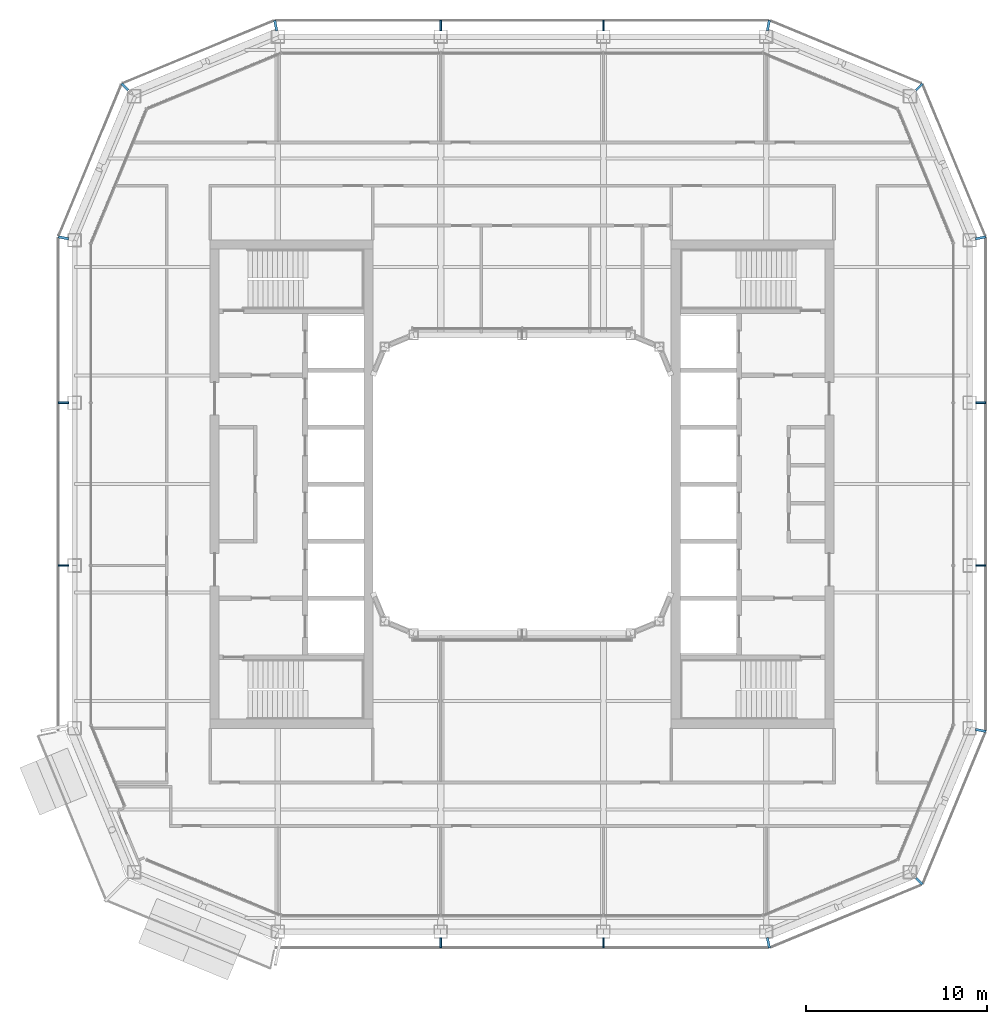
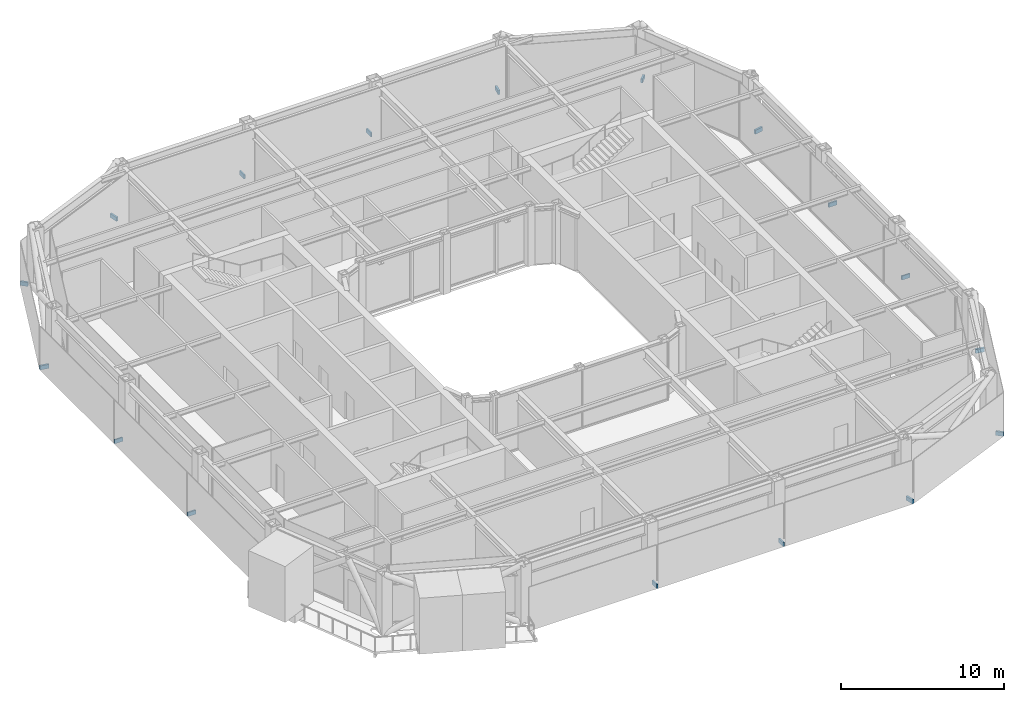
# One storey, part 15 of 20: 17 discrete accessories.
"""IFC4 building model written with IfcOpenShell, lengths in metres."""

import ifcopenshell
import ifcopenshell.guid

model = None  # the IFC model being written
_history = None  # IfcOwnerHistory: only IFC2X3 demands one
_inside = {}  # id of a spatial element -> (the spatial element, [elements in it])
_under = {}  # id of a project, library or spatial element -> (it, [spatial elements below it])
_declared = {}  # id of a project -> (the project, [libraries it declares])
_typed = {}  # id of a type object -> (the type object, [elements of that type])
_made_of = {}  # id of a material, layer set ... -> (it, [elements and type objects made of it])


def new_model(schema):
    """Start an empty IFC model of exactly this schema.

    Asked for "IFC4X3", IfcOpenShell would pick the latest addendum, in which some entities
    have other attributes; the version numbers below select the first issue.
    IFC2X3 requires an IfcOwnerHistory on every rooted entity: one is made here for all.
    """
    global model, _history
    if schema == "IFC4X3":
        model = ifcopenshell.file(schema_version=(4, 3, 0, 0))
    else:
        model = ifcopenshell.file(schema=schema)
    _inside.clear()
    _under.clear()
    _declared.clear()
    _typed.clear()
    _made_of.clear()
    _history = None
    if model.schema == "IFC2X3":
        org = make("IfcOrganization", Name="unknown")
        user = make(
            "IfcPersonAndOrganization",
            ThePerson=make("IfcPerson", FamilyName="unknown"),
            TheOrganization=org,
        )
        app = make(
            "IfcApplication",
            ApplicationDeveloper=org,
            Version="unknown",
            ApplicationFullName="unknown",
            ApplicationIdentifier="unknown",
        )
        _history = make(
            "IfcOwnerHistory",
            OwningUser=user,
            OwningApplication=app,
            ChangeAction="ADDED",
            CreationDate=0,
        )
    return model


def make(cls, **values):
    """One entity of the class cls with the attributes given. An attribute that is None is left unset."""
    return model.create_entity(
        cls, **{name: value for name, value in values.items() if value is not None}
    )


def rooted(cls, **values):
    """An entity with a GlobalId (a new one), such as an element, a storey or a relation."""
    return make(cls, GlobalId=ifcopenshell.guid.new(), OwnerHistory=_history, **values)


def si_unit(unit_type, name, prefix=None):
    """IfcSIUnit, for example si_unit("LENGTHUNIT", "METRE", prefix="MILLI")."""
    return make("IfcSIUnit", UnitType=unit_type, Prefix=prefix, Name=name)


def assignment(units):
    """IfcUnitAssignment: the units of a project."""
    return None if units is None else make("IfcUnitAssignment", Units=units)


def point(xyz):
    """IfcCartesianPoint."""
    return None if xyz is None else make("IfcCartesianPoint", Coordinates=xyz)


def direction(xyz):
    """IfcDirection."""
    return None if xyz is None else make("IfcDirection", DirectionRatios=xyz)


def frame(location, z_axis=None, x_axis=None):
    """IfcAxis2Placement3D, a coordinate frame: its origin and axes. An axis left out is left unset."""
    return make(
        "IfcAxis2Placement3D",
        Location=point(location),
        Axis=direction(z_axis),
        RefDirection=direction(x_axis),
    )


def frame_2d(location, x_axis=None):
    """IfcAxis2Placement2D, a coordinate frame in the plane: its origin and x axis."""
    return make(
        "IfcAxis2Placement2D", Location=point(location), RefDirection=direction(x_axis)
    )


def origin():
    """The frame at (0, 0, 0) with its axes left unset."""
    return frame((0.0, 0.0, 0.0))


def origin_2d():
    """The frame at (0, 0) in the plane with its x axis left unset."""
    return frame_2d((0.0, 0.0))


def place(relative_to, where):
    """IfcLocalPlacement: puts the frame where relative to a parent placement (None: the world)."""
    return make(
        "IfcLocalPlacement", PlacementRelTo=relative_to, RelativePlacement=where
    )


def context(
    kind, dimensions, precision=None, world=None, true_north=None, identifier=None
):
    """IfcGeometricRepresentationContext, for example the 3D "Model" context."""
    return make(
        "IfcGeometricRepresentationContext",
        ContextIdentifier=identifier,
        ContextType=kind,
        CoordinateSpaceDimension=dimensions,
        Precision=precision,
        WorldCoordinateSystem=world,
        TrueNorth=true_north,
    )


def subcontext(parent, identifier, kind, view, scale=None):
    """IfcGeometricRepresentationSubContext, for example "Body" below "Model"."""
    return make(
        "IfcGeometricRepresentationSubContext",
        ContextIdentifier=identifier,
        ContextType=kind,
        ParentContext=parent,
        TargetScale=scale,
        TargetView=view,
    )


def project(units=None, contexts=None):
    """IfcProject with its units and contexts."""
    return rooted(
        "IfcProject",
        Name="project",
        RepresentationContexts=contexts,
        UnitsInContext=assignment(units),
    )


def spatial(cls, under=None, at=None, **own):
    """A site, building, storey or space (cls), placed at a placement, below another one or the project."""
    s = rooted(cls, ObjectPlacement=at, **own)
    if under is not None:
        _under.setdefault(under.id(), (under, []))[1].append(s)
    return s


def profile(cls, at=None, kind="AREA", **sizes):
    """A parametric profile (cls). Its sizes go by their IFC names, for example OverallWidth=200.0."""
    return make(cls, ProfileType=kind, Position=at, **sizes)


def rectangle(**sizes):
    """IfcRectangleProfileDef."""
    return profile("IfcRectangleProfileDef", **sizes)


def extrude(swept, where, along, depth):
    """IfcExtrudedAreaSolid: the profile swept, set in the frame where, extruded along a direction by depth."""
    return make(
        "IfcExtrudedAreaSolid",
        SweptArea=swept,
        Position=where,
        ExtrudedDirection=direction(along),
        Depth=depth,
    )


def shape(context_of_items, identifier, shape_type, items):
    """IfcShapeRepresentation: the items that make up one representation, for example the "Body"."""
    return make(
        "IfcShapeRepresentation",
        ContextOfItems=context_of_items,
        RepresentationIdentifier=identifier,
        RepresentationType=shape_type,
        Items=items,
    )


def material(Name=None, Category=None):
    """IfcMaterial."""
    return make("IfcMaterial", Name=Name, Category=Category)


def made_of(thing, what):
    """Note that an element or type object is made of a material, layer set ...; save() writes the relation."""
    if what is not None:
        _made_of.setdefault(what.id(), (what, []))[1].append(thing)
    return thing


def type_object(cls, material=None, **own):
    """A type object (cls), such as IfcWallType, which elements share."""
    return made_of(rooted(cls, **own), material)


def element(
    cls,
    number,
    at=None,
    inside=None,
    cuts=None,
    type_object=None,
    material=None,
    context=None,
    identifier="Body",
    shape_type=None,
    held_by="IfcProductDefinitionShape",
    body=None,
    shapes=None,
    **own,
):
    """One element of the class cls, such as IfcWall. Its Tag is "e" and its number.

    at: its placement. inside: the storey or other place that contains it. cuts: it is an
    opening in that element (IfcRelVoidsElement). A single representation is given by context,
    identifier, shape_type and body (its items); several are given by shapes. held_by: the class
    of the entity that holds the representations. save() writes the other relations.
    """
    e = rooted(cls, Tag="e%d" % number, ObjectPlacement=at, **own)
    if body is not None:
        shapes = [shape(context, identifier, shape_type, body)]
    if shapes is not None:
        e.Representation = make(held_by, Representations=shapes)
    if inside is not None:
        _inside.setdefault(inside.id(), (inside, []))[1].append(e)
    if cuts is not None:
        rooted(
            "IfcRelVoidsElement", RelatingBuildingElement=cuts, RelatedOpeningElement=e
        )
    if type_object is not None:
        _typed.setdefault(type_object.id(), (type_object, []))[1].append(e)
    return made_of(e, material)


def aggregate(whole, parts):
    """IfcRelAggregates: a whole, such as a stair, and the parts it consists of."""
    return rooted("IfcRelAggregates", RelatingObject=whole, RelatedObjects=parts)


def save(model, path):
    """Write the relations noted so far, then the file.

    IfcRelAggregates (storeys below a building ...), IfcRelContainedInSpatialStructure (elements
    in a storey), IfcRelDefinesByType, IfcRelAssociatesMaterial and IfcRelDeclares: one each for
    every whole, place, type object, material and project.
    """
    for whole, parts in _under.values():
        aggregate(whole, parts)
    for where, things in _inside.values():
        rooted(
            "IfcRelContainedInSpatialStructure",
            RelatedElements=things,
            RelatingStructure=where,
        )
    for kind, things in _typed.values():
        rooted("IfcRelDefinesByType", RelatedObjects=things, RelatingType=kind)
    for what, things in _made_of.values():
        rooted("IfcRelAssociatesMaterial", RelatedObjects=things, RelatingMaterial=what)
    for by, libraries in _declared.values():
        rooted("IfcRelDeclares", RelatingContext=by, RelatedDefinitions=libraries)
    model.write(path)


model = new_model("IFC4")

# Units and contexts
model_context = context("Model", 3, precision=1e-05, world=origin(), true_north=direction((0.0, 1.0)))
body_context = subcontext(model_context, "Body", "Model", "MODEL_VIEW")
ifc_project = project(units=[si_unit("LENGTHUNIT", "METRE"), si_unit("AREAUNIT", "SQUARE_METRE"), si_unit("VOLUMEUNIT", "CUBIC_METRE"), si_unit("PLANEANGLEUNIT", "RADIAN"), si_unit("MASSUNIT", "GRAM", prefix="KILO")], contexts=[model_context])

# Site, building, storey
site_placement = place(None, origin())
site = spatial("IfcSite", under=ifc_project, at=site_placement, CompositionType="ELEMENT")
building_placement = place(site_placement, origin())
building = spatial("IfcBuilding", under=site, at=building_placement, Name="Siwar Civic Tower", CompositionType="ELEMENT")
storey_placement = place(building_placement, frame((0.0, 0.0, 316.699951171875)))
storey = spatial("IfcBuildingStorey", under=building, at=storey_placement, Name="L68", CompositionType="ELEMENT", Elevation=316.699951171875)

# Discrete accessories
ifc_material = material(Name="Stainless steel 316", Category="steel")
discrete_accessory_type = type_object("IfcDiscreteAccessoryType", Name="ENV-BRACKET", PredefinedType="BRACKET", material=ifc_material)
for number, where, z_axis, x_axis, name in (
    (1, (25.364990234375, -4.5, -0.14990234375), (0.0, 0.0, 1.0), (1.0, 0.0, 0.0), "Bracket outer skin joint E-01"),
    (2, (25.364990234375, 4.5, -0.14990234375), (0.0, 0.0, 1.0), (1.0, 0.0, 0.0), "Bracket outer skin joint E-02"),
    (3, (4.5, 25.364990234375, -0.14990234375), (0.0, 0.0, 1.0), (0.0, 1.0, 0.0), "Bracket outer skin joint N-01"),
    (4, (-4.5, 25.364990234375, -0.14990234375), (0.0, 0.0, 1.0), (0.0, 1.0, 0.0), "Bracket outer skin joint N-02"),
    (5, (-4.5, -25.364990234375, -0.14990234375), (0.0, 0.0, 1.0), (0.0, -1.0, 0.0), "Bracket outer skin joint S-01"),
    (6, (4.5, -25.364990234375, -0.14990234375), (0.0, 0.0, 1.0), (0.0, -1.0, 0.0), "Bracket outer skin joint S-02"),
):
    element("IfcDiscreteAccessory", number, at=place(storey_placement, frame(where, z_axis=z_axis, x_axis=x_axis)), inside=storey, type_object=discrete_accessory_type, Name=name, PredefinedType="BRACKET", context=body_context, shape_type="SweptSolid", body=[
        extrude(rectangle(XDim=0.570068359375, YDim=0.10009765625, at=origin_2d()), origin(), (0.0, 0.0, 1.0), 0.300048828125),
    ])
discrete_accessory_1_placement = place(storey_placement, frame((13.622314453125, -25.365234375, -0.14990234375), z_axis=(0.0, 0.0, 1.0), x_axis=(0.195090322016, -0.980785280403, 0.0)))
element("IfcDiscreteAccessory", 7, at=discrete_accessory_1_placement, inside=storey, type_object=discrete_accessory_type, Name="Bracket outer skin joint V01", PredefinedType="BRACKET", context=body_context, shape_type="SweptSolid", body=[
    extrude(rectangle(XDim=0.580810546875, YDim=0.13720703125, at=origin_2d()), origin(), (0.0, 0.0, 1.0), 0.300048828125),
])
discrete_accessory_2_placement = place(storey_placement, frame((21.96728515625, -21.96728515625, -0.14990234375), z_axis=(0.0, 0.0, 1.0), x_axis=(0.707106781187, -0.707106781187, 0.0)))
element("IfcDiscreteAccessory", 8, at=discrete_accessory_2_placement, inside=storey, type_object=discrete_accessory_type, Name="Bracket outer skin joint V02", PredefinedType="BRACKET", context=body_context, shape_type="SweptSolid", body=[
    extrude(rectangle(XDim=0.499267578125, YDim=0.12939453125, at=origin_2d()), origin(), (0.0, 0.0, 1.0), 0.300048828125),
])
for number, where, z_axis, x_axis, name in (
    (9, (25.365234375, -13.622314453125, -0.14990234375), (0.0, 0.0, 1.0), (0.980785280403, -0.195090322016, 0.0), "Bracket outer skin joint V03"),
    (10, (25.365234375, 13.622314453125, -0.14990234375), (0.0, 0.0, 1.0), (0.980785280403, 0.195090322016, 0.0), "Bracket outer skin joint V04"),
):
    element("IfcDiscreteAccessory", number, at=place(storey_placement, frame(where, z_axis=z_axis, x_axis=x_axis)), inside=storey, type_object=discrete_accessory_type, Name=name, PredefinedType="BRACKET", context=body_context, shape_type="SweptSolid", body=[
        extrude(rectangle(XDim=0.580810546875, YDim=0.13720703125, at=origin_2d()), origin(), (0.0, 0.0, 1.0), 0.300048828125),
    ])
discrete_accessory_3_placement = place(storey_placement, frame((21.96728515625, 21.96728515625, -0.14990234375), z_axis=(0.0, 0.0, 1.0), x_axis=(0.707106781187, 0.707106781187, 0.0)))
element("IfcDiscreteAccessory", 11, at=discrete_accessory_3_placement, inside=storey, type_object=discrete_accessory_type, Name="Bracket outer skin joint V05", PredefinedType="BRACKET", context=body_context, shape_type="SweptSolid", body=[
    extrude(rectangle(XDim=0.499267578125, YDim=0.12939453125, at=origin_2d()), origin(), (0.0, 0.0, 1.0), 0.300048828125),
])
for number, where, z_axis, x_axis, name in (
    (12, (13.622314453125, 25.365234375, -0.14990234375), (0.0, 0.0, 1.0), (0.195090322016, 0.980785280403, 0.0), "Bracket outer skin joint V06"),
    (13, (-13.622314453125, 25.365234375, -0.14990234375), (0.0, 0.0, 1.0), (-0.195090322016, 0.980785280403, 0.0), "Bracket outer skin joint V07"),
):
    element("IfcDiscreteAccessory", number, at=place(storey_placement, frame(where, z_axis=z_axis, x_axis=x_axis)), inside=storey, type_object=discrete_accessory_type, Name=name, PredefinedType="BRACKET", context=body_context, shape_type="SweptSolid", body=[
        extrude(rectangle(XDim=0.580810546875, YDim=0.13720703125, at=origin_2d()), origin(), (0.0, 0.0, 1.0), 0.300048828125),
    ])
discrete_accessory_4_placement = place(storey_placement, frame((-21.96728515625, 21.96728515625, -0.14990234375), z_axis=(0.0, 0.0, 1.0), x_axis=(-0.707106781187, 0.707106781187, 0.0)))
element("IfcDiscreteAccessory", 14, at=discrete_accessory_4_placement, inside=storey, type_object=discrete_accessory_type, Name="Bracket outer skin joint V08", PredefinedType="BRACKET", context=body_context, shape_type="SweptSolid", body=[
    extrude(rectangle(XDim=0.499267578125, YDim=0.12939453125, at=origin_2d()), origin(), (0.0, 0.0, 1.0), 0.300048828125),
])
discrete_accessory_5_placement = place(storey_placement, frame((-25.365234375, 13.622314453125, -0.14990234375), z_axis=(0.0, 0.0, 1.0), x_axis=(-0.980785280403, 0.195090322016, 0.0)))
element("IfcDiscreteAccessory", 15, at=discrete_accessory_5_placement, inside=storey, type_object=discrete_accessory_type, Name="Bracket outer skin joint V09", PredefinedType="BRACKET", context=body_context, shape_type="SweptSolid", body=[
    extrude(rectangle(XDim=0.580810546875, YDim=0.13720703125, at=origin_2d()), origin(), (0.0, 0.0, 1.0), 0.300048828125),
])
for number, where, z_axis, x_axis, name in (
    (16, (-25.364990234375, 4.5, -0.14990234375), (0.0, 0.0, 1.0), (-1.0, 0.0, 0.0), "Bracket outer skin joint W-01"),
    (17, (-25.364990234375, -4.5, -0.14990234375), (0.0, 0.0, 1.0), (-1.0, 0.0, 0.0), "Bracket outer skin joint W-02"),
):
    element("IfcDiscreteAccessory", number, at=place(storey_placement, frame(where, z_axis=z_axis, x_axis=x_axis)), inside=storey, type_object=discrete_accessory_type, Name=name, PredefinedType="BRACKET", context=body_context, shape_type="SweptSolid", body=[
        extrude(rectangle(XDim=0.570068359375, YDim=0.10009765625, at=origin_2d()), origin(), (0.0, 0.0, 1.0), 0.300048828125),
    ])

save(model, "model.ifc")
